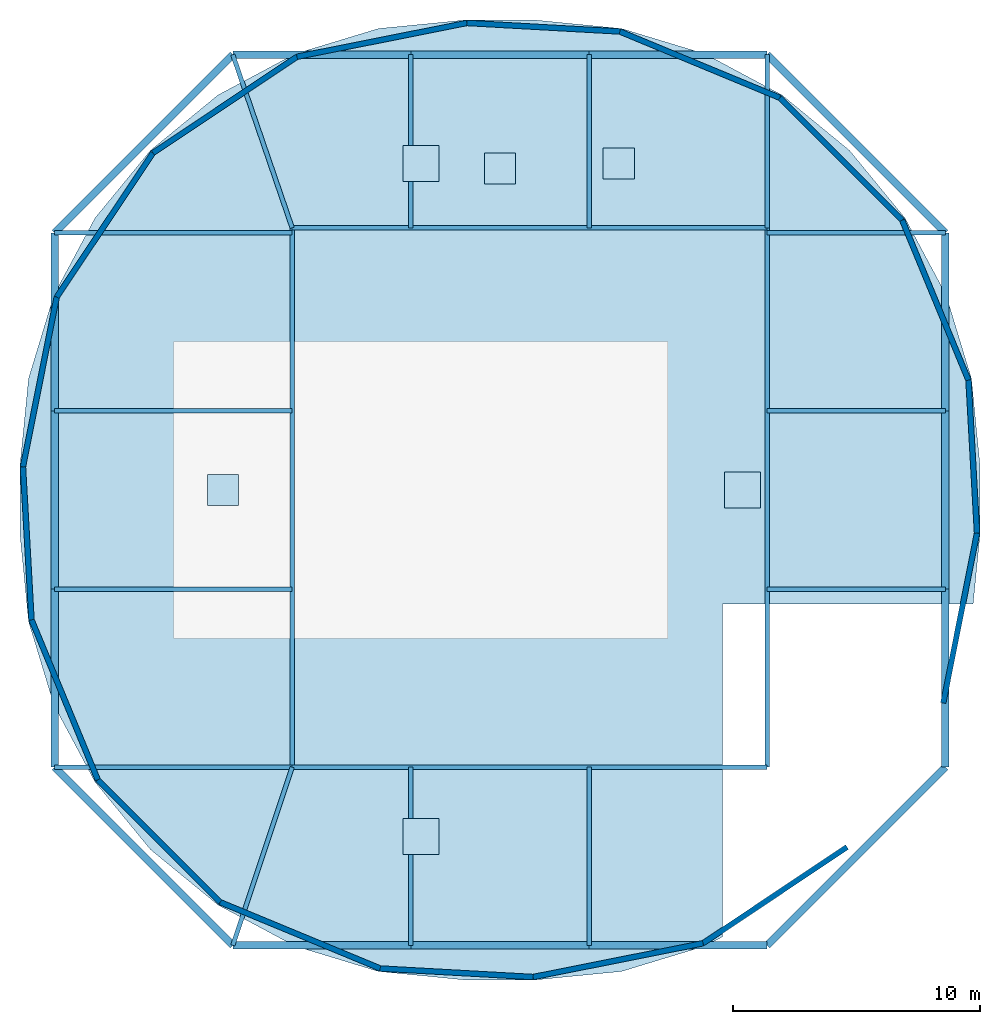
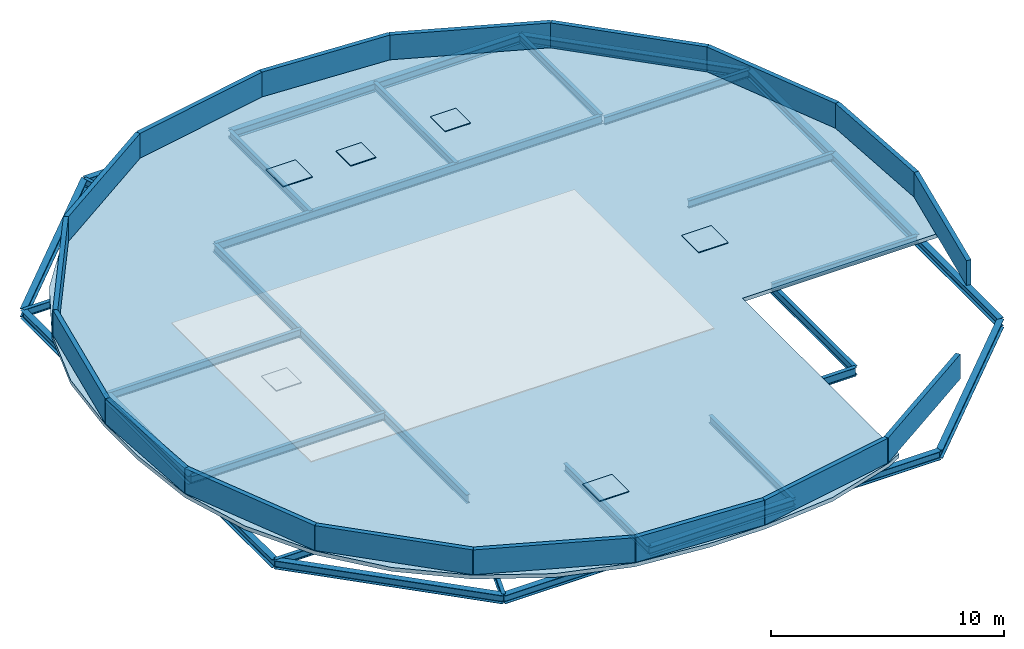
# One storey, part 1 of 2: 34 beams, 17 walls, 6 plates, 1 slab.
"""IFC4 building model written with IfcOpenShell, lengths in metres."""

from ifc_helpers import new_model, si_unit, direction, frame, frame_2d, origin, origin_2d, place, context, subcontext, project, spatial, polyline, rectangle, i_section, outline, extrude, material, layer, layer_set, material_profile, profile_set, type_object, element, save


model = new_model("IFC4")

# Units and contexts
model_context = context("Model", 3, precision=1e-05, world=origin(), true_north=direction((0.0, 1.0)))
body_context = subcontext(model_context, "Body", "Model", "MODEL_VIEW")
ifc_project = project(units=[si_unit("LENGTHUNIT", "METRE"), si_unit("AREAUNIT", "SQUARE_METRE"), si_unit("VOLUMEUNIT", "CUBIC_METRE"), si_unit("PLANEANGLEUNIT", "RADIAN"), si_unit("MASSUNIT", "GRAM", prefix="KILO")], contexts=[model_context])

# Site, building, storey
site_placement = place(None, origin())
site = spatial("IfcSite", under=ifc_project, at=site_placement, CompositionType="ELEMENT")
building_placement = place(site_placement, origin())
building = spatial("IfcBuilding", under=site, at=building_placement, Name="Zevrakil Square Congress Hotel", CompositionType="ELEMENT")
storey_placement = place(building_placement, frame((0.0, 0.0, 46.10009765625)))
storey = spatial("IfcBuildingStorey", under=building, at=storey_placement, Name="RF", CompositionType="ELEMENT", Elevation=46.10009765625)

# Beams
ifc_material_1 = material(Name="Steel S355", Category="steel")
ifc_material_profile_1 = material_profile(ifc_material_1, i_section(OverallWidth=0.300048828125, OverallDepth=0.43994140625, WebThickness=0.011474609375, FlangeThickness=0.02099609375, FilletRadius=0.027099609375, at=origin_2d()), Name="HEA 450")
ifc_profile_set_1 = profile_set([ifc_material_profile_1], Name="Steel S355")
beam_type_1 = type_object("IfcBeamType", Name="BM-HEA450", PredefinedType="BEAM", material=ifc_profile_set_1)
beam_1_placement = place(storey_placement, frame((134.39990234375, 9.60009765625, -0.425048828125), z_axis=(1.0, 0.0, 0.0), x_axis=(0.0, 1.0, 0.0)))
element("IfcBeam", 1, at=beam_1_placement, inside=storey, type_object=beam_type_1, Name="RF drum ring girder DRB-01", PredefinedType="BEAM", context=body_context, shape_type="SweptSolid", body=[
    extrude(i_section(OverallWidth=0.300048828125, OverallDepth=0.43994140625, WebThickness=0.011474609375, FlangeThickness=0.02099609375, FilletRadius=0.027099609375, at=origin_2d()), origin(), (0.0, 0.0, 1.0), 7.2001953125),
])
for number, where, z_axis, x_axis, name in (
    (2, (141.60009765625, 9.60009765625, -0.425048828125), (1.0, 0.0, 0.0), (0.0, 1.0, 0.0), "RF drum ring girder DRB-02"),
    (3, (148.800048828125, 9.60009765625, -0.425048828125), (1.0, 0.0, 0.0), (0.0, 1.0, 0.0), "RF drum ring girder DRB-03"),
):
    element("IfcBeam", number, at=place(storey_placement, frame(where, z_axis=z_axis, x_axis=x_axis)), inside=storey, type_object=beam_type_1, Name=name, PredefinedType="BEAM", context=body_context, shape_type="SweptSolid", body=[
        extrude(i_section(OverallWidth=0.300048828125, OverallDepth=0.43994140625, WebThickness=0.011474609375, FlangeThickness=0.02099609375, FilletRadius=0.027099609375, at=origin_2d()), origin(), (0.0, 0.0, 1.0), 7.199951171875),
    ])
beam_2_placement = place(storey_placement, frame((156.0, 9.60009765625, -0.425048828125), z_axis=(0.707106781187, 0.707106781187, 0.0), x_axis=(-0.707106781187, 0.707106781187, 0.0)))
element("IfcBeam", 4, at=beam_2_placement, inside=storey, type_object=beam_type_1, Name="RF drum ring girder DRB-04", PredefinedType="BEAM", context=body_context, shape_type="SweptSolid", body=[
    extrude(i_section(OverallWidth=0.300048828125, OverallDepth=0.43994140625, WebThickness=0.011474609375, FlangeThickness=0.02099609375, FilletRadius=0.027099609375, at=origin_2d()), origin(), (0.0, 0.0, 1.0), 10.182373046875),
])
for number, where, z_axis, x_axis, name in (
    (5, (163.199951171875, 16.800048828125, -0.425048828125), (0.0, 1.0, 0.0), (-1.0, 0.0, 0.0), "RF drum ring girder DRB-05"),
    (6, (163.199951171875, 24.0, -0.425048828125), (0.0, 1.0, 0.0), (-1.0, 0.0, 0.0), "RF drum ring girder DRB-06"),
    (7, (163.199951171875, 31.199951171875, -0.425048828125), (0.0, 1.0, 0.0), (-1.0, 0.0, 0.0), "RF drum ring girder DRB-07"),
):
    element("IfcBeam", number, at=place(storey_placement, frame(where, z_axis=z_axis, x_axis=x_axis)), inside=storey, type_object=beam_type_1, Name=name, PredefinedType="BEAM", context=body_context, shape_type="SweptSolid", body=[
        extrude(i_section(OverallWidth=0.300048828125, OverallDepth=0.43994140625, WebThickness=0.011474609375, FlangeThickness=0.02099609375, FilletRadius=0.027099609375, at=origin_2d()), origin(), (0.0, 0.0, 1.0), 7.199951171875),
    ])
beam_3_placement = place(storey_placement, frame((163.199951171875, 38.39990234375, -0.425048828125), z_axis=(-0.70709479277, 0.7071187694, 0.0), x_axis=(-0.7071187694, -0.70709479277, 0.0)))
element("IfcBeam", 8, at=beam_3_placement, inside=storey, type_object=beam_type_1, Name="RF drum ring girder DRB-08", PredefinedType="BEAM", context=body_context, shape_type="SweptSolid", body=[
    extrude(i_section(OverallWidth=0.300048828125, OverallDepth=0.43994140625, WebThickness=0.011474609375, FlangeThickness=0.02099609375, FilletRadius=0.027099609375, at=origin_2d()), origin(), (0.0, 0.0, 1.0), 10.182373046875),
])
for number, where, z_axis, x_axis, name in (
    (9, (156.0, 45.60009765625, -0.425048828125), (-1.0, 0.0, 0.0), (0.0, -1.0, 0.0), "RF drum ring girder DRB-09"),
    (10, (148.800048828125, 45.60009765625, -0.425048828125), (-1.0, 0.0, 0.0), (0.0, -1.0, 0.0), "RF drum ring girder DRB-10"),
):
    element("IfcBeam", number, at=place(storey_placement, frame(where, z_axis=z_axis, x_axis=x_axis)), inside=storey, type_object=beam_type_1, Name=name, PredefinedType="BEAM", context=body_context, shape_type="SweptSolid", body=[
        extrude(i_section(OverallWidth=0.300048828125, OverallDepth=0.43994140625, WebThickness=0.011474609375, FlangeThickness=0.02099609375, FilletRadius=0.027099609375, at=origin_2d()), origin(), (0.0, 0.0, 1.0), 7.199951171875),
    ])
beam_4_placement = place(storey_placement, frame((141.60009765625, 45.60009765625, -0.425048828125), z_axis=(-1.0, 0.0, 0.0), x_axis=(0.0, -1.0, 0.0)))
element("IfcBeam", 11, at=beam_4_placement, inside=storey, type_object=beam_type_1, Name="RF drum ring girder DRB-11", PredefinedType="BEAM", context=body_context, shape_type="SweptSolid", body=[
    extrude(i_section(OverallWidth=0.300048828125, OverallDepth=0.43994140625, WebThickness=0.011474609375, FlangeThickness=0.02099609375, FilletRadius=0.027099609375, at=origin_2d()), origin(), (0.0, 0.0, 1.0), 7.2001953125),
])
beam_5_placement = place(storey_placement, frame((134.39990234375, 45.60009765625, -0.425048828125), z_axis=(-0.70709479277, -0.7071187694, 0.0), x_axis=(0.7071187694, -0.70709479277, 0.0)))
element("IfcBeam", 12, at=beam_5_placement, inside=storey, type_object=beam_type_1, Name="RF drum ring girder DRB-12", PredefinedType="BEAM", context=body_context, shape_type="SweptSolid", body=[
    extrude(i_section(OverallWidth=0.300048828125, OverallDepth=0.43994140625, WebThickness=0.011474609375, FlangeThickness=0.02099609375, FilletRadius=0.027099609375, at=origin_2d()), origin(), (0.0, 0.0, 1.0), 10.182373046875),
])
for number, where, z_axis, x_axis, name in (
    (13, (127.199951171875, 38.39990234375, -0.425048828125), (0.0, -1.0, 0.0), (1.0, 0.0, 0.0), "RF drum ring girder DRB-13"),
    (14, (127.199951171875, 31.199951171875, -0.425048828125), (0.0, -1.0, 0.0), (1.0, 0.0, 0.0), "RF drum ring girder DRB-14"),
    (15, (127.199951171875, 24.0, -0.425048828125), (0.0, -1.0, 0.0), (1.0, 0.0, 0.0), "RF drum ring girder DRB-15"),
):
    element("IfcBeam", number, at=place(storey_placement, frame(where, z_axis=z_axis, x_axis=x_axis)), inside=storey, type_object=beam_type_1, Name=name, PredefinedType="BEAM", context=body_context, shape_type="SweptSolid", body=[
        extrude(i_section(OverallWidth=0.300048828125, OverallDepth=0.43994140625, WebThickness=0.011474609375, FlangeThickness=0.02099609375, FilletRadius=0.027099609375, at=origin_2d()), origin(), (0.0, 0.0, 1.0), 7.199951171875),
    ])
beam_6_placement = place(storey_placement, frame((127.199951171875, 16.800048828125, -0.425048828125), z_axis=(0.707106781187, -0.707106781187, 0.0), x_axis=(0.707106781187, 0.707106781187, 0.0)))
element("IfcBeam", 16, at=beam_6_placement, inside=storey, type_object=beam_type_1, Name="RF drum ring girder DRB-16", PredefinedType="BEAM", context=body_context, shape_type="SweptSolid", body=[
    extrude(i_section(OverallWidth=0.300048828125, OverallDepth=0.43994140625, WebThickness=0.011474609375, FlangeThickness=0.02099609375, FilletRadius=0.027099609375, at=origin_2d()), origin(), (0.0, 0.0, 1.0), 10.182373046875),
])
ifc_material_2 = material(Name="Steel S355", Category="steel")
ifc_material_profile_2 = material_profile(ifc_material_2, i_section(OverallWidth=0.18994140625, OverallDepth=0.449951171875, WebThickness=0.009521484375, FlangeThickness=0.0146484375, FilletRadius=0.02099609375, at=origin_2d()), Name="IPE 450")
ifc_profile_set_2 = profile_set([ifc_material_profile_2], Name="Steel S355")
beam_type_2 = type_object("IfcBeamType", Name="BM-IPE450", PredefinedType="BEAM", material=ifc_profile_set_2)
beam_7_placement = place(storey_placement, frame((136.800048828125, 16.800048828125, -0.43017578125), z_axis=(1.0, 0.0, 0.0), x_axis=(0.0, 1.0, 0.0)))
element("IfcBeam", 17, at=beam_7_placement, inside=storey, type_object=beam_type_2, Name="RF drum core perimeter tie beam DCB-01", PredefinedType="BEAM", context=body_context, shape_type="SweptSolid", body=[
    extrude(i_section(OverallWidth=0.18994140625, OverallDepth=0.449951171875, WebThickness=0.009521484375, FlangeThickness=0.0146484375, FilletRadius=0.02099609375, at=origin_2d()), origin(), (0.0, 0.0, 1.0), 19.199951171875),
])
beam_8_placement = place(storey_placement, frame((156.0, 16.800048828125, -0.43017578125), z_axis=(0.0, 1.0, 0.0), x_axis=(-1.0, 0.0, 0.0)))
element("IfcBeam", 18, at=beam_8_placement, inside=storey, type_object=beam_type_2, Name="RF drum core perimeter tie beam DCB-02", PredefinedType="BEAM", context=body_context, shape_type="SweptSolid", body=[
    extrude(i_section(OverallWidth=0.18994140625, OverallDepth=0.449951171875, WebThickness=0.009521484375, FlangeThickness=0.0146484375, FilletRadius=0.02099609375, at=origin_2d()), origin(), (0.0, 0.0, 1.0), 21.800048828125),
])
beam_9_placement = place(storey_placement, frame((156.0, 38.60009765625, -0.43017578125), z_axis=(-1.0, 0.0, 0.0), x_axis=(0.0, -1.0, 0.0)))
element("IfcBeam", 19, at=beam_9_placement, inside=storey, type_object=beam_type_2, Name="RF drum core perimeter tie beam DCB-03", PredefinedType="BEAM", context=body_context, shape_type="SweptSolid", body=[
    extrude(i_section(OverallWidth=0.18994140625, OverallDepth=0.449951171875, WebThickness=0.009521484375, FlangeThickness=0.0146484375, FilletRadius=0.02099609375, at=origin_2d()), origin(), (0.0, 0.0, 1.0), 19.199951171875),
])
beam_10_placement = place(storey_placement, frame((136.800048828125, 38.60009765625, -0.43017578125), z_axis=(0.0, -1.0, 0.0), x_axis=(1.0, 0.0, 0.0)))
element("IfcBeam", 20, at=beam_10_placement, inside=storey, type_object=beam_type_2, Name="RF drum core perimeter tie beam DCB-04", PredefinedType="BEAM", context=body_context, shape_type="SweptSolid", body=[
    extrude(i_section(OverallWidth=0.18994140625, OverallDepth=0.449951171875, WebThickness=0.009521484375, FlangeThickness=0.0146484375, FilletRadius=0.02099609375, at=origin_2d()), origin(), (0.0, 0.0, 1.0), 21.800048828125),
])
ifc_material_3 = material(Name="Steel S355", Category="steel")
ifc_material_profile_3 = material_profile(ifc_material_3, i_section(OverallWidth=0.179931640625, OverallDepth=0.39990234375, WebThickness=0.008544921875, FlangeThickness=0.013427734375, FilletRadius=0.02099609375, at=origin_2d()), Name="IPE 400")
ifc_profile_set_3 = profile_set([ifc_material_profile_3], Name="Steel S355")
beam_type_3 = type_object("IfcBeamType", Name="JST-IPE400", PredefinedType="JOIST", material=ifc_profile_set_3)
beam_11_placement = place(storey_placement, frame((136.800048828125, 16.800048828125, -0.405029296875), z_axis=(-0.316247066962, -0.948676864184, 0.0), x_axis=(0.948676864184, -0.316247066962, 0.0)))
element("IfcBeam", 21, at=beam_11_placement, inside=storey, type_object=beam_type_3, Name="RF drum radial floor beam DRI-01", PredefinedType="JOIST", context=body_context, shape_type="SweptSolid", body=[
    extrude(i_section(OverallWidth=0.179931640625, OverallDepth=0.39990234375, WebThickness=0.008544921875, FlangeThickness=0.013427734375, FilletRadius=0.02099609375, at=origin_2d()), origin(), (0.0, 0.0, 1.0), 7.58935546875),
])
for number, where, z_axis, x_axis, name in (
    (22, (141.60009765625, 16.800048828125, -0.405029296875), (0.0, -1.0, 0.0), (1.0, 0.0, 0.0), "RF drum radial floor beam DRI-02"),
    (23, (148.800048828125, 16.800048828125, -0.405029296875), (0.0, -1.0, 0.0), (1.0, 0.0, 0.0), "RF drum radial floor beam DRI-03"),
    (24, (156.0, 24.0, -0.405029296875), (1.0, 0.0, 0.0), (0.0, 1.0, 0.0), "RF drum radial floor beam DRI-06"),
    (25, (156.0, 31.199951171875, -0.405029296875), (1.0, 0.0, 0.0), (0.0, 1.0, 0.0), "RF drum radial floor beam DRI-07"),
    (26, (156.0, 38.39990234375, -0.405029296875), (1.0, 0.0, 0.0), (0.0, 1.0, 0.0), "RF drum radial floor beam DRI-08"),
):
    element("IfcBeam", number, at=place(storey_placement, frame(where, z_axis=z_axis, x_axis=x_axis)), inside=storey, type_object=beam_type_3, Name=name, PredefinedType="JOIST", context=body_context, shape_type="SweptSolid", body=[
        extrude(i_section(OverallWidth=0.179931640625, OverallDepth=0.39990234375, WebThickness=0.008544921875, FlangeThickness=0.013427734375, FilletRadius=0.02099609375, at=origin_2d()), origin(), (0.0, 0.0, 1.0), 7.199951171875),
    ])
for number, where, z_axis, x_axis, name in (
    (27, (156.0, 38.60009765625, -0.405029296875), (0.0, 1.0, 0.0), (-1.0, 0.0, 0.0), "RF drum radial floor beam DRI-09"),
    (28, (148.800048828125, 38.60009765625, -0.405029296875), (0.0, 1.0, 0.0), (-1.0, 0.0, 0.0), "RF drum radial floor beam DRI-10"),
    (29, (141.60009765625, 38.60009765625, -0.405029296875), (0.0, 1.0, 0.0), (-1.0, 0.0, 0.0), "RF drum radial floor beam DRI-11"),
):
    element("IfcBeam", number, at=place(storey_placement, frame(where, z_axis=z_axis, x_axis=x_axis)), inside=storey, type_object=beam_type_3, Name=name, PredefinedType="JOIST", context=body_context, shape_type="SweptSolid", body=[
        extrude(i_section(OverallWidth=0.179931640625, OverallDepth=0.39990234375, WebThickness=0.008544921875, FlangeThickness=0.013427734375, FilletRadius=0.02099609375, at=origin_2d()), origin(), (0.0, 0.0, 1.0), 7.0),
    ])
beam_12_placement = place(storey_placement, frame((136.800048828125, 38.60009765625, -0.405029296875), z_axis=(-0.324342037158, 0.945939872789, 0.0), x_axis=(-0.945939872789, -0.324342037158, 0.0)))
element("IfcBeam", 30, at=beam_12_placement, inside=storey, type_object=beam_type_3, Name="RF drum radial floor beam DRI-12", PredefinedType="JOIST", context=body_context, shape_type="SweptSolid", body=[
    extrude(i_section(OverallWidth=0.179931640625, OverallDepth=0.39990234375, WebThickness=0.008544921875, FlangeThickness=0.013427734375, FilletRadius=0.02099609375, at=origin_2d()), origin(), (0.0, 0.0, 1.0), 7.400146484375),
])
for number, where, z_axis, x_axis, name in (
    (31, (136.800048828125, 38.39990234375, -0.405029296875), (-1.0, 0.0, 0.0), (0.0, -1.0, 0.0), "RF drum radial floor beam DRI-13"),
    (32, (136.800048828125, 31.199951171875, -0.405029296875), (-1.0, 0.0, 0.0), (0.0, -1.0, 0.0), "RF drum radial floor beam DRI-14"),
    (33, (136.800048828125, 24.0, -0.405029296875), (-1.0, 0.0, 0.0), (0.0, -1.0, 0.0), "RF drum radial floor beam DRI-15"),
    (34, (136.800048828125, 16.800048828125, -0.405029296875), (-1.0, 0.0, 0.0), (0.0, -1.0, 0.0), "RF drum radial floor beam DRI-16"),
):
    element("IfcBeam", number, at=place(storey_placement, frame(where, z_axis=z_axis, x_axis=x_axis)), inside=storey, type_object=beam_type_3, Name=name, PredefinedType="JOIST", context=body_context, shape_type="SweptSolid", body=[
        extrude(i_section(OverallWidth=0.179931640625, OverallDepth=0.39990234375, WebThickness=0.008544921875, FlangeThickness=0.013427734375, FilletRadius=0.02099609375, at=origin_2d()), origin(), (0.0, 0.0, 1.0), 9.60009765625),
    ])

# Plates
ifc_material_4 = material(Name="Steel S355", Category="steel")
ifc_layer_1 = layer(ifc_material_4, 0.0400390625)
ifc_layer_set_1 = layer_set([ifc_layer_1], Name="Steel S355")
plate_type_1 = type_object("IfcPlateType", Name="PLT-HATCH-126", PredefinedType="SHEET", material=ifc_layer_set_1)
for number, where, z_axis, x_axis, name in (
    (35, (134.0, 28.0, 0.0), (0.0, 0.0, 1.0), (1.0, 0.0, 0.0), "RF insulated roof access hatch cover PLT-RF-HATCH-01"),
    (36, (145.199951171875, 41.0, 0.0), (0.0, 0.0, 1.0), (1.0, 0.0, 0.0), "RF insulated roof access hatch cover PLT-RF-HATCH-03"),
    (37, (150.0, 41.199951171875, 0.0), (0.0, 0.0, 1.0), (1.0, 0.0, 0.0), "RF insulated roof access hatch cover PLT-RF-HATCH-05"),
):
    element("IfcPlate", number, at=place(storey_placement, frame(where, z_axis=z_axis, x_axis=x_axis)), inside=storey, type_object=plate_type_1, Name=name, PredefinedType="SHEET", context=body_context, shape_type="SweptSolid", body=[
        extrude(rectangle(XDim=1.260009765625, YDim=1.260009765625, at=origin_2d()), origin(), (0.0, 0.0, 1.0), 0.0400390625),
    ])
ifc_material_5 = material(Name="Steel S355", Category="steel")
ifc_layer_2 = layer(ifc_material_5, 0.0400390625)
ifc_layer_set_2 = layer_set([ifc_layer_2], Name="Steel S355")
plate_type_2 = type_object("IfcPlateType", Name="PLT-HATCH-146", PredefinedType="SHEET", material=ifc_layer_set_2)
for number, where, z_axis, x_axis, name in (
    (38, (155.0, 28.0, 0.0), (0.0, 0.0, 1.0), (1.0, 0.0, 0.0), "RF insulated roof access hatch cover PLT-RF-HATCH-02"),
    (39, (142.0, 14.0, 0.0), (0.0, 0.0, 1.0), (1.0, 0.0, 0.0), "RF insulated roof access hatch cover PLT-RF-HATCH-04"),
    (40, (142.0, 41.199951171875, 0.0), (0.0, 0.0, 1.0), (1.0, 0.0, 0.0), "RF insulated roof access hatch cover PLT-RF-HATCH-06"),
):
    element("IfcPlate", number, at=place(storey_placement, frame(where, z_axis=z_axis, x_axis=x_axis)), inside=storey, type_object=plate_type_2, Name=name, PredefinedType="SHEET", context=body_context, shape_type="SweptSolid", body=[
        extrude(rectangle(XDim=1.4599609375, YDim=1.4599609375, at=origin_2d()), origin(), (0.0, 0.0, 1.0), 0.0400390625),
    ])

# Slab
ifc_material_6 = material(Name="Concrete C35/45", Category="concrete")
ifc_layer_3 = layer(ifc_material_6, 0.205078125)
ifc_layer_set_3 = layer_set([ifc_layer_3], Name="Concrete C35/45")
slab_type = type_object("IfcSlabType", Name="SLB-ROOF-RF-205", PredefinedType="ROOF", material=ifc_layer_set_3)
slab_placement = place(storey_placement, frame((0.0, 0.0, -0.205078125)))
element("IfcSlab", 41, at=slab_placement, inside=storey, type_object=slab_type, Name="RF hotel drum main flat roof slab", PredefinedType="ROOF", context=body_context, shape_type="SweptSolid", body=[
    extrude(outline(polyline([(153.4892578125, 9.569091796875), (150.112548828125, 8.544921875), (146.60107421875, 8.198974609375), (143.799072265625, 8.198974609375), (140.287353515625, 8.544921875), (136.91064453125, 9.569091796875), (133.798583984375, 11.232421875), (131.071044921875, 13.47119140625), (128.83251953125, 16.19873046875), (127.169189453125, 19.310791015625), (126.14501953125, 22.6875), (125.799072265625, 26.198974609375), (125.799072265625, 29.0009765625), (126.14501953125, 32.5126953125), (127.169189453125, 35.889404296875), (128.83251953125, 39.001220703125), (131.071044921875, 41.72900390625), (133.798583984375, 43.967529296875), (136.91064453125, 45.630859375), (140.287353515625, 46.655029296875), (143.799072265625, 47.0009765625), (146.60107421875, 47.0009765625), (150.112548828125, 46.655029296875), (153.4892578125, 45.630859375), (156.601318359375, 43.967529296875), (159.328857421875, 41.72900390625), (161.5673828125, 39.001220703125), (163.230712890625, 35.889404296875), (164.255126953125, 32.5126953125), (164.60107421875, 29.0009765625), (164.60107421875, 26.198974609375), (164.3251953125, 23.39990234375), (154.199951171875, 23.39990234375), (154.199951171875, 9.94921875), (153.4892578125, 9.569091796875)]), holes=[polyline([(133.39990234375, 27.39990234375), (134.60009765625, 27.39990234375), (134.60009765625, 28.60009765625), (133.39990234375, 28.60009765625), (133.39990234375, 27.39990234375)]), polyline([(154.300048828125, 27.300048828125), (155.699951171875, 27.300048828125), (155.699951171875, 28.699951171875), (154.300048828125, 28.699951171875), (154.300048828125, 27.300048828125)]), polyline([(144.60009765625, 40.39990234375), (145.800048828125, 40.39990234375), (145.800048828125, 41.60009765625), (144.60009765625, 41.60009765625), (144.60009765625, 40.39990234375)]), polyline([(141.300048828125, 13.300048828125), (142.699951171875, 13.300048828125), (142.699951171875, 14.699951171875), (141.300048828125, 14.699951171875), (141.300048828125, 13.300048828125)]), polyline([(149.39990234375, 40.60009765625), (150.60009765625, 40.60009765625), (150.60009765625, 41.800048828125), (149.39990234375, 41.800048828125), (149.39990234375, 40.60009765625)]), polyline([(141.300048828125, 40.5), (142.699951171875, 40.5), (142.699951171875, 41.89990234375), (141.300048828125, 41.89990234375), (141.300048828125, 40.5)])]), origin(), (0.0, 0.0, 1.0), 0.205078125),
])

# Walls
ifc_material_7 = material(Name="Precast concrete C40/50", Category="concrete")
ifc_layer_4 = layer(ifc_material_7, 0.219970703125)
ifc_layer_set_4 = layer_set([ifc_layer_4], Name="Precast concrete C40/50")
wall_type = type_object("IfcWallType", Name="WAL-PARAPET-220", PredefinedType="PARAPET", material=ifc_layer_set_4)
wall_1_placement = place(storey_placement, frame((146.541015625, 8.319091796875, 0.0), z_axis=(0.0, 0.0, 1.0), x_axis=(0.980788055051, 0.1950763724, 0.0)))
element("IfcWall", 42, at=wall_1_placement, inside=storey, type_object=wall_type, Name="RF crown diamond parapet 1", PredefinedType="PARAPET", context=body_context, shape_type="SweptSolid", body=[
    extrude(rectangle(XDim=6.999755859375, YDim=0.219970703125, at=frame_2d((3.5, 0.0))), origin(), (0.0, 0.0, 1.0), 1.2998046875),
])
wall_2_placement = place(storey_placement, frame((153.40625, 9.6845703125, 0.0), z_axis=(0.0, 0.0, 1.0), x_axis=(0.831475714026, 0.555561101037, 0.0)))
element("IfcWall", 43, at=wall_2_placement, inside=storey, type_object=wall_type, Name="RF crown diamond parapet 3", PredefinedType="PARAPET", context=body_context, shape_type="SweptSolid", body=[
    extrude(rectangle(XDim=7.0, YDim=0.219970703125, at=frame_2d((3.5, 0.0))), origin(), (0.0, 0.0, 1.0), 1.2998046875),
])
wall_3_placement = place(storey_placement, frame((163.115478515625, 19.393798828125, 0.0), z_axis=(0.0, 0.0, 1.0), x_axis=(0.1950763724, 0.980788055051, 0.0)))
element("IfcWall", 44, at=wall_3_placement, inside=storey, type_object=wall_type, Name="RF crown diamond parapet 7", PredefinedType="PARAPET", context=body_context, shape_type="SweptSolid", body=[
    extrude(rectangle(XDim=6.999755859375, YDim=0.219970703125, at=frame_2d((3.5, 0.0))), origin(), (0.0, 0.0, 1.0), 1.2998046875),
])
wall_4_placement = place(storey_placement, frame((164.48095703125, 26.259033203125, 0.0), z_axis=(0.0, 0.0, 1.0), x_axis=(-0.055677489567, 0.998448805476, 0.0)))
element("IfcWall", 45, at=wall_4_placement, inside=storey, type_object=wall_type, Name="RF crown diamond parapet 9", PredefinedType="PARAPET", context=body_context, shape_type="SweptSolid", body=[
    extrude(rectangle(XDim=6.19140625, YDim=0.219970703125, at=frame_2d((3.095703125, 0.0))), origin(), (0.0, 0.0, 1.0), 1.2998046875),
])
wall_5_placement = place(storey_placement, frame((164.13623046875, 32.44091796875, 0.0), z_axis=(0.0, 0.0, 1.0), x_axis=(-0.382680364439, 0.923880803282, 0.0)))
element("IfcWall", 46, at=wall_5_placement, inside=storey, type_object=wall_type, Name="RF crown diamond parapet 11", PredefinedType="PARAPET", context=body_context, shape_type="SweptSolid", body=[
    extrude(rectangle(XDim=6.999755859375, YDim=0.219970703125, at=frame_2d((3.5, 0.0))), origin(), (0.0, 0.0, 1.0), 1.2998046875),
])
wall_6_placement = place(storey_placement, frame((161.45751953125, 38.907958984375, 0.0), z_axis=(0.0, 0.0, 1.0), x_axis=(-0.707106781187, 0.707106781187, 0.0)))
element("IfcWall", 47, at=wall_6_placement, inside=storey, type_object=wall_type, Name="RF crown diamond parapet 13", PredefinedType="PARAPET", context=body_context, shape_type="SweptSolid", body=[
    extrude(rectangle(XDim=7.0, YDim=0.219970703125, at=frame_2d((3.5, 0.0))), origin(), (0.0, 0.0, 1.0), 1.2998046875),
])
wall_7_placement = place(storey_placement, frame((156.5078125, 43.857666015625, 0.0), z_axis=(0.0, 0.0, 1.0), x_axis=(-0.923875695366, 0.382692695921, 0.0)))
element("IfcWall", 48, at=wall_7_placement, inside=storey, type_object=wall_type, Name="RF crown diamond parapet 15", PredefinedType="PARAPET", context=body_context, shape_type="SweptSolid", body=[
    extrude(rectangle(XDim=6.999755859375, YDim=0.219970703125, at=frame_2d((3.5, 0.0))), origin(), (0.0, 0.0, 1.0), 1.2998046875),
])
wall_8_placement = place(storey_placement, frame((150.041015625, 46.536376953125, 0.0), z_axis=(0.0, 0.0, 1.0), x_axis=(-0.998448927706, 0.055675297604, 0.0)))
element("IfcWall", 49, at=wall_8_placement, inside=storey, type_object=wall_type, Name="RF crown diamond parapet 17", PredefinedType="PARAPET", context=body_context, shape_type="SweptSolid", body=[
    extrude(rectangle(XDim=6.191650390625, YDim=0.219970703125, at=frame_2d((3.095703125, 0.0))), origin(), (0.0, 0.0, 1.0), 1.2998046875),
])
for number, where, z_axis, x_axis, name in (
    (50, (143.85888671875, 46.881103515625, 0.0), (0.0, 0.0, 1.0), (-0.980781381237, -0.195109923423, 0.0), "RF crown diamond parapet 19"),
    (51, (136.99365234375, 45.515380859375, 0.0), (0.0, 0.0, 1.0), (-0.831464948732, -0.555577212482, 0.0), "RF crown diamond parapet 21"),
    (52, (131.173583984375, 41.62646484375, 0.0), (0.0, 0.0, 1.0), (-0.555577212482, -0.831464948732, 0.0), "RF crown diamond parapet 23"),
):
    element("IfcWall", number, at=place(storey_placement, frame(where, z_axis=z_axis, x_axis=x_axis)), inside=storey, type_object=wall_type, Name=name, PredefinedType="PARAPET", context=body_context, shape_type="SweptSolid", body=[
        extrude(rectangle(XDim=6.999755859375, YDim=0.219970703125, at=frame_2d((3.5, 0.0))), origin(), (0.0, 0.0, 1.0), 1.2998046875),
    ])
wall_9_placement = place(storey_placement, frame((127.28466796875, 35.806396484375, 0.0), z_axis=(0.0, 0.0, 1.0), x_axis=(-0.195103249304, -0.980782708917, 0.0)))
element("IfcWall", 53, at=wall_9_placement, inside=storey, type_object=wall_type, Name="RF crown diamond parapet 25", PredefinedType="PARAPET", context=body_context, shape_type="SweptSolid", body=[
    extrude(rectangle(XDim=7.0, YDim=0.219970703125, at=frame_2d((3.5, 0.0))), origin(), (0.0, 0.0, 1.0), 1.2998046875),
])
wall_10_placement = place(storey_placement, frame((125.9189453125, 28.94091796875, 0.0), z_axis=(0.0, 0.0, 1.0), x_axis=(0.055677489567, -0.998448805476, 0.0)))
element("IfcWall", 54, at=wall_10_placement, inside=storey, type_object=wall_type, Name="RF crown diamond parapet 27", PredefinedType="PARAPET", context=body_context, shape_type="SweptSolid", body=[
    extrude(rectangle(XDim=6.19140625, YDim=0.219970703125, at=frame_2d((3.095703125, 0.0))), origin(), (0.0, 0.0, 1.0), 1.2998046875),
])
wall_11_placement = place(storey_placement, frame((126.263671875, 22.759033203125, 0.0), z_axis=(0.0, 0.0, 1.0), x_axis=(0.382680364439, -0.923880803282, 0.0)))
element("IfcWall", 55, at=wall_11_placement, inside=storey, type_object=wall_type, Name="RF crown diamond parapet 29", PredefinedType="PARAPET", context=body_context, shape_type="SweptSolid", body=[
    extrude(rectangle(XDim=6.999755859375, YDim=0.219970703125, at=frame_2d((3.5, 0.0))), origin(), (0.0, 0.0, 1.0), 1.2998046875),
])
wall_12_placement = place(storey_placement, frame((128.9423828125, 16.2919921875, 0.0), z_axis=(0.0, 0.0, 1.0), x_axis=(0.707106781187, -0.707106781187, 0.0)))
element("IfcWall", 56, at=wall_12_placement, inside=storey, type_object=wall_type, Name="RF crown diamond parapet 31", PredefinedType="PARAPET", context=body_context, shape_type="SweptSolid", body=[
    extrude(rectangle(XDim=7.0, YDim=0.219970703125, at=frame_2d((3.5, 0.0))), origin(), (0.0, 0.0, 1.0), 1.2998046875),
])
wall_13_placement = place(storey_placement, frame((133.89208984375, 11.34228515625, 0.0), z_axis=(0.0, 0.0, 1.0), x_axis=(0.923893134086, -0.382650593607, 0.0)))
element("IfcWall", 57, at=wall_13_placement, inside=storey, type_object=wall_type, Name="RF crown diamond parapet 33", PredefinedType="PARAPET", context=body_context, shape_type="SweptSolid", body=[
    extrude(rectangle(XDim=6.999755859375, YDim=0.219970703125, at=frame_2d((3.5, 0.0))), origin(), (0.0, 0.0, 1.0), 1.2998046875),
])
wall_14_placement = place(storey_placement, frame((140.359130859375, 8.663818359375, 0.0), z_axis=(0.0, 0.0, 1.0), x_axis=(0.998448805476, -0.055677489567, 0.0)))
element("IfcWall", 58, at=wall_14_placement, inside=storey, type_object=wall_type, Name="RF crown diamond parapet 35", PredefinedType="PARAPET", context=body_context, shape_type="SweptSolid", body=[
    extrude(rectangle(XDim=6.19140625, YDim=0.219970703125, at=frame_2d((3.095703125, 0.0))), origin(), (0.0, 0.0, 1.0), 1.2998046875),
])

save(model, "model.ifc")
